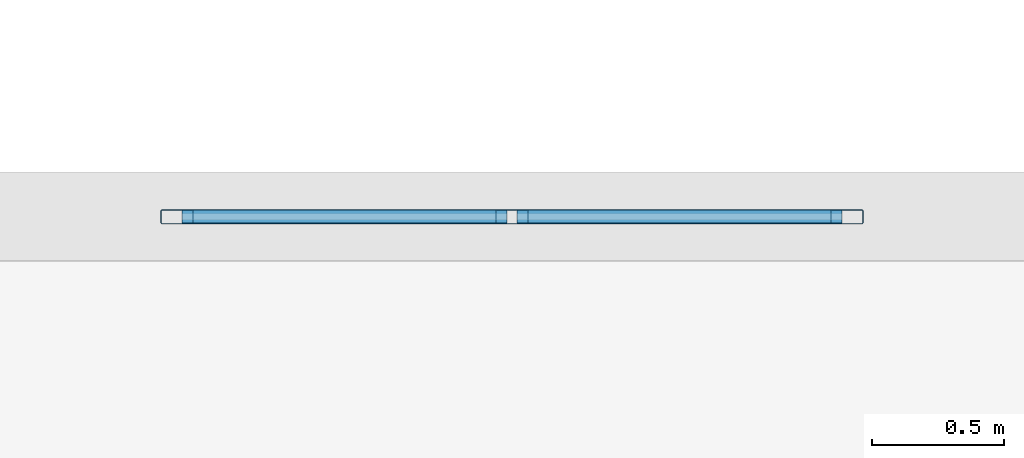
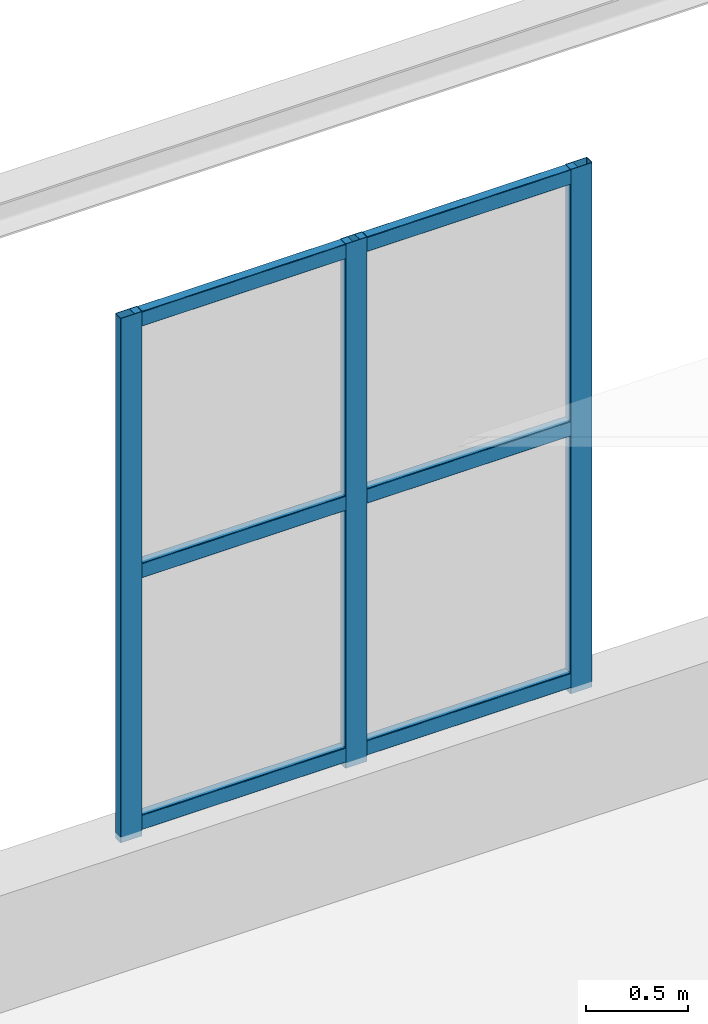
# One storey, part 34 of 97: 9 members, 1 element without a shape of its own.
"""IFC4 building model written with IfcOpenShell, lengths in metres."""

from ifc_helpers import new_model, si_unit, derived_unit, direction, frame, origin, origin_2d, place, context, subcontext, project, spatial, hollow_rectangle, extrude, material, layer, layer_set, material_profile, profile_set, type_object, element, aggregate, save


model = new_model("IFC4")

# Units and contexts
model_context = context("Model", 3, precision=1e-05, world=origin(), true_north=direction((0.0, 1.0)))
body_context = subcontext(model_context, "Body", "Model", "MODEL_VIEW")
ifc_project = project(units=[si_unit("LENGTHUNIT", "METRE"), si_unit("AREAUNIT", "SQUARE_METRE"), si_unit("VOLUMEUNIT", "CUBIC_METRE"), si_unit("PLANEANGLEUNIT", "RADIAN"), si_unit("MASSUNIT", "GRAM", prefix="KILO"), derived_unit("THERMALTRANSMITTANCEUNIT", [(si_unit("POWERUNIT", "WATT"), 1), (si_unit("LENGTHUNIT", "METRE"), -2), (si_unit("THERMODYNAMICTEMPERATUREUNIT", "KELVIN"), -1)])], contexts=[model_context])

# Site, building, storey
site_placement = place(None, origin())
site = spatial("IfcSite", under=ifc_project, at=site_placement, CompositionType="ELEMENT")
building_placement = place(site_placement, origin())
building = spatial("IfcBuilding", under=site, at=building_placement, Name="Almenara Railside Exhibition Hall", CompositionType="ELEMENT")
storey_placement = place(building_placement, frame((0.0, 0.0, 10.800048828125)))
storey = spatial("IfcBuildingStorey", under=building, at=storey_placement, Name="L02", CompositionType="ELEMENT", Elevation=10.800048828125)

# Curtain wall, members
ifc_material_1 = material(Name="Bronze-anodised aluminium and low-E double glazing", Category="aluminium")
ifc_layer = layer(ifc_material_1, 0.179931640625, Name="Bronze-anodised aluminium and low-E double glazing")
ifc_layer_set = layer_set([ifc_layer], Name="Bronze-anodised aluminium and low-E double glazing")
curtain_wall_type = type_object("IfcCurtainWallType", Name="Belvedere Patio Loggia Curtain Wall 2600x3100", PredefinedType="NOTDEFINED", material=ifc_layer_set)
curtain_wall_placement = place(storey_placement, origin())
curtain_wall = element("IfcCurtainWall", 1, at=curtain_wall_placement, inside=storey, type_object=curtain_wall_type, Name="Curtain wall CW-BV2-162", PredefinedType="NOTDEFINED")
ifc_material_2 = material(Name="Bronze-anodised aluminium", Category="aluminium")
ifc_material_profile_1 = material_profile(ifc_material_2, hollow_rectangle(XDim=0.054931640625, YDim=0.125, WallThickness=0.0029296875, InnerFilletRadius=0.0029296875, OuterFilletRadius=0.006103515625, at=origin_2d()), Name="ALU-MUL 55x125x3")
ifc_profile_set_1 = profile_set([ifc_material_profile_1], Name="Bronze-anodised aluminium")
member_type_1 = type_object("IfcMemberType", Name="Curtain Wall Mullion 55x125x3", PredefinedType="MULLION", material=ifc_profile_set_1)
member_1_placement = place(storey_placement, frame((103.927490234375, 54.0, 0.6650390625), z_axis=(0.0, 0.0, 1.0), x_axis=(0.0, 1.0, 0.0)))
member_1 = element("IfcMember", 2, at=member_1_placement, type_object=member_type_1, Name="CW-BV2-162 mullion 1", PredefinedType="MULLION", context=body_context, shape_type="SweptSolid", body=[
    extrude(hollow_rectangle(XDim=0.054931640625, YDim=0.125, WallThickness=0.0029296875, InnerFilletRadius=0.0029296875, OuterFilletRadius=0.006103515625, at=origin_2d()), origin(), (0.0, 0.0, 1.0), 3.135009765625),
])
member_2_placement = place(storey_placement, frame((105.199951171875, 54.0, 0.6650390625), z_axis=(0.0, 0.0, 1.0), x_axis=(0.0, 1.0, 0.0)))
member_2 = element("IfcMember", 3, at=member_2_placement, type_object=member_type_1, Name="CW-BV2-162 mullion 2", PredefinedType="MULLION", context=body_context, shape_type="SweptSolid", body=[
    extrude(hollow_rectangle(XDim=0.054931640625, YDim=0.125, WallThickness=0.0029296875, InnerFilletRadius=0.0029296875, OuterFilletRadius=0.006103515625, at=origin_2d()), origin(), (0.0, 0.0, 1.0), 3.135009765625),
])
member_3_placement = place(storey_placement, frame((106.472412109375, 54.0, 0.6650390625), z_axis=(0.0, 0.0, 1.0), x_axis=(0.0, 1.0, 0.0)))
member_3 = element("IfcMember", 4, at=member_3_placement, type_object=member_type_1, Name="CW-BV2-162 mullion 3", PredefinedType="MULLION", context=body_context, shape_type="SweptSolid", body=[
    extrude(hollow_rectangle(XDim=0.054931640625, YDim=0.125, WallThickness=0.0029296875, InnerFilletRadius=0.0029296875, OuterFilletRadius=0.006103515625, at=origin_2d()), origin(), (0.0, 0.0, 1.0), 3.135009765625),
])
ifc_material_profile_2 = material_profile(ifc_material_2, hollow_rectangle(XDim=0.054931640625, YDim=0.090087890625, WallThickness=0.0029296875, InnerFilletRadius=0.0029296875, OuterFilletRadius=0.006103515625, at=origin_2d()), Name="ALU-TRN 55x90x3")
ifc_profile_set_2 = profile_set([ifc_material_profile_2], Name="Bronze-anodised aluminium")
member_type_2 = type_object("IfcMemberType", Name="Curtain Wall Transom 55x90x3", PredefinedType="USERDEFINED", material=ifc_profile_set_2)
member_4_placement = place(storey_placement, frame((103.947021484375, 54.0, 0.744873046875), z_axis=(1.0, 0.0, 0.0), x_axis=(0.0, 1.0, 0.0)))
member_4 = element("IfcMember", 5, at=member_4_placement, type_object=member_type_2, Name="CW-BV2-162 transom 1.1", ObjectType="TRANSOM", PredefinedType="USERDEFINED", context=body_context, shape_type="SweptSolid", body=[
    extrude(hollow_rectangle(XDim=0.054931640625, YDim=0.090087890625, WallThickness=0.0029296875, InnerFilletRadius=0.0029296875, OuterFilletRadius=0.006103515625, at=origin_2d()), origin(), (0.0, 0.0, 1.0), 1.2333984375),
])
member_5_placement = place(storey_placement, frame((103.947021484375, 54.0, 2.25), z_axis=(1.0, 0.0, 0.0), x_axis=(0.0, 1.0, 0.0)))
member_5 = element("IfcMember", 6, at=member_5_placement, type_object=member_type_2, Name="CW-BV2-162 transom 1.2", ObjectType="TRANSOM", PredefinedType="USERDEFINED", context=body_context, shape_type="SweptSolid", body=[
    extrude(hollow_rectangle(XDim=0.054931640625, YDim=0.090087890625, WallThickness=0.0029296875, InnerFilletRadius=0.0029296875, OuterFilletRadius=0.006103515625, at=origin_2d()), origin(), (0.0, 0.0, 1.0), 1.2333984375),
])
member_6_placement = place(storey_placement, frame((103.947021484375, 54.0, 3.7548828125), z_axis=(1.0, 0.0, 0.0), x_axis=(0.0, 1.0, 0.0)))
member_6 = element("IfcMember", 7, at=member_6_placement, type_object=member_type_2, Name="CW-BV2-162 transom 1.3", ObjectType="TRANSOM", PredefinedType="USERDEFINED", context=body_context, shape_type="SweptSolid", body=[
    extrude(hollow_rectangle(XDim=0.054931640625, YDim=0.090087890625, WallThickness=0.0029296875, InnerFilletRadius=0.0029296875, OuterFilletRadius=0.006103515625, at=origin_2d()), origin(), (0.0, 0.0, 1.0), 1.2333984375),
])
member_7_placement = place(storey_placement, frame((105.219482421875, 54.0, 0.744873046875), z_axis=(1.0, 0.0, 0.0), x_axis=(0.0, 1.0, 0.0)))
member_7 = element("IfcMember", 8, at=member_7_placement, type_object=member_type_2, Name="CW-BV2-162 transom 2.1", ObjectType="TRANSOM", PredefinedType="USERDEFINED", context=body_context, shape_type="SweptSolid", body=[
    extrude(hollow_rectangle(XDim=0.054931640625, YDim=0.090087890625, WallThickness=0.0029296875, InnerFilletRadius=0.0029296875, OuterFilletRadius=0.006103515625, at=origin_2d()), origin(), (0.0, 0.0, 1.0), 1.2333984375),
])
member_8_placement = place(storey_placement, frame((105.219482421875, 54.0, 2.25), z_axis=(1.0, 0.0, 0.0), x_axis=(0.0, 1.0, 0.0)))
member_8 = element("IfcMember", 9, at=member_8_placement, type_object=member_type_2, Name="CW-BV2-162 transom 2.2", ObjectType="TRANSOM", PredefinedType="USERDEFINED", context=body_context, shape_type="SweptSolid", body=[
    extrude(hollow_rectangle(XDim=0.054931640625, YDim=0.090087890625, WallThickness=0.0029296875, InnerFilletRadius=0.0029296875, OuterFilletRadius=0.006103515625, at=origin_2d()), origin(), (0.0, 0.0, 1.0), 1.2333984375),
])
member_9_placement = place(storey_placement, frame((105.219482421875, 54.0, 3.7548828125), z_axis=(1.0, 0.0, 0.0), x_axis=(0.0, 1.0, 0.0)))
member_9 = element("IfcMember", 10, at=member_9_placement, type_object=member_type_2, Name="CW-BV2-162 transom 2.3", ObjectType="TRANSOM", PredefinedType="USERDEFINED", context=body_context, shape_type="SweptSolid", body=[
    extrude(hollow_rectangle(XDim=0.054931640625, YDim=0.090087890625, WallThickness=0.0029296875, InnerFilletRadius=0.0029296875, OuterFilletRadius=0.006103515625, at=origin_2d()), origin(), (0.0, 0.0, 1.0), 1.2333984375),
])
aggregate(curtain_wall, [member_1, member_2, member_3, member_4, member_5, member_6, member_7, member_8, member_9])

save(model, "model.ifc")
